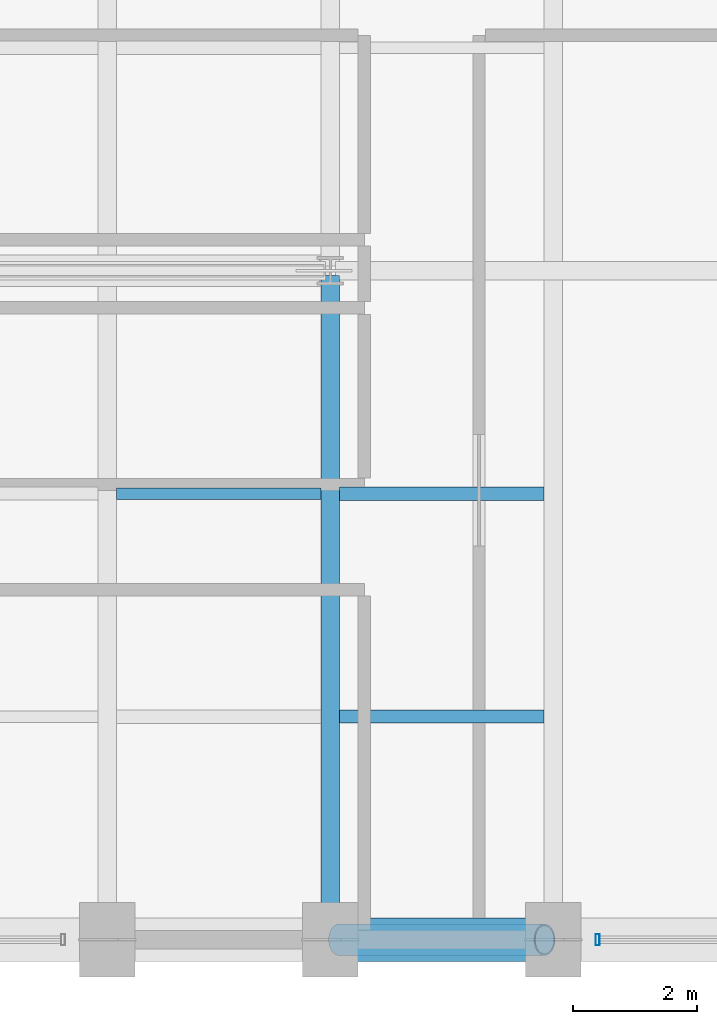
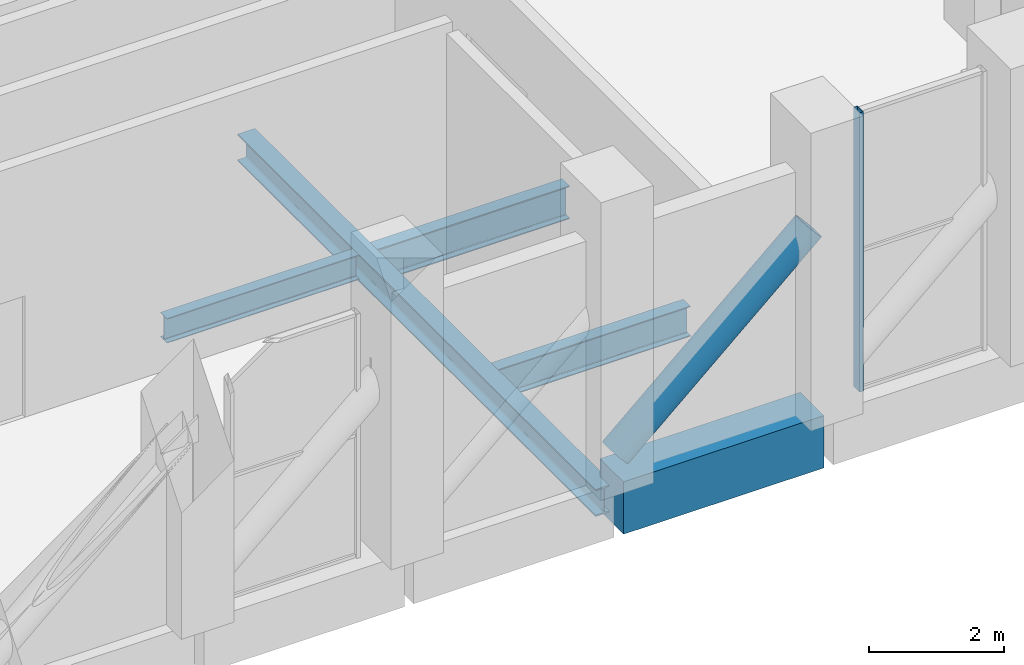
# One storey, part 11 of 27: 5 beams, 2 members, 1 element without a shape of its own.
"""IFC4 building model written with IfcOpenShell, lengths in metres."""

from ifc_helpers import new_model, si_unit, direction, frame, origin, origin_2d, place, context, subcontext, project, spatial, rectangle, hollow_rectangle, hollow_circle, i_section, extrude, material, layer, layer_set, material_profile, profile_set, type_object, element, aggregate, save


model = new_model("IFC4")

# Units and contexts
model_context = context("Model", 3, precision=1e-05, world=origin(), true_north=direction((0.0, 1.0)))
body_context = subcontext(model_context, "Body", "Model", "MODEL_VIEW")
ifc_project = project(units=[si_unit("LENGTHUNIT", "METRE"), si_unit("AREAUNIT", "SQUARE_METRE"), si_unit("VOLUMEUNIT", "CUBIC_METRE"), si_unit("PLANEANGLEUNIT", "RADIAN"), si_unit("MASSUNIT", "GRAM", prefix="KILO")], contexts=[model_context])

# Site, building, storey
site_placement = place(None, origin())
site = spatial("IfcSite", under=ifc_project, at=site_placement, CompositionType="ELEMENT")
building_placement = place(site_placement, origin())
building = spatial("IfcBuilding", under=site, at=building_placement, Name="Solnavia Interchange Tower", CompositionType="ELEMENT")
storey_placement = place(building_placement, frame((0.0, 0.0, 74.699951171875)))
storey = spatial("IfcBuildingStorey", under=building, at=storey_placement, Name="L18", CompositionType="ELEMENT", Elevation=74.699951171875)

# Beams
ifc_material_1 = material(Name="Steel S355", Category="steel")
ifc_material_profile_1 = material_profile(ifc_material_1, i_section(OverallWidth=0.18994140625, OverallDepth=0.449951171875, WebThickness=0.009521484375, FlangeThickness=0.0146484375, FilletRadius=0.02099609375, at=origin_2d()), Name="IPE 450")
ifc_profile_set_1 = profile_set([ifc_material_profile_1], Name="Steel S355")
beam_type_1 = type_object("IfcBeamType", Name="Beam-Joist-IPE450", PredefinedType="JOIST", material=ifc_profile_set_1)
beam_1_placement = place(storey_placement, frame((46.949951171875, 10.800048828125, -0.544921875), z_axis=(1.0, 0.0, 0.0), x_axis=(0.0, 1.0, 0.0)))
element("IfcBeam", 1, at=beam_1_placement, inside=storey, type_object=beam_type_1, Name="JST-L18-E09 East wing secondary joist", PredefinedType="JOIST", context=body_context, shape_type="SweptSolid", body=[
    extrude(i_section(OverallWidth=0.18994140625, OverallDepth=0.449951171875, WebThickness=0.009521484375, FlangeThickness=0.0146484375, FilletRadius=0.02099609375, at=origin_2d()), origin(), (0.0, 0.0, 1.0), 3.300048828125),
])
ifc_material_profile_2 = material_profile(ifc_material_1, i_section(OverallWidth=0.2099609375, OverallDepth=0.550048828125, WebThickness=0.010986328125, FlangeThickness=0.01708984375, FilletRadius=0.02392578125, at=origin_2d()), Name="IPE 550")
ifc_profile_set_2 = profile_set([ifc_material_profile_2], Name="Steel S355")
beam_type_2 = type_object("IfcBeamType", Name="Beam-Joist-IPE550", PredefinedType="JOIST", material=ifc_profile_set_2)
beam_2_placement = place(storey_placement, frame((50.550048828125, 7.199951171875, -0.594970703125), z_axis=(1.0, 0.0, 0.0), x_axis=(0.0, 1.0, 0.0)))
element("IfcBeam", 2, at=beam_2_placement, inside=storey, type_object=beam_type_2, Name="JST-L18-E05 East wing secondary joist", PredefinedType="JOIST", context=body_context, shape_type="SweptSolid", body=[
    extrude(i_section(OverallWidth=0.2099609375, OverallDepth=0.550048828125, WebThickness=0.010986328125, FlangeThickness=0.01708984375, FilletRadius=0.02392578125, at=origin_2d()), origin(), (0.0, 0.0, 1.0), 3.300048828125),
])
ifc_material_profile_3 = material_profile(ifc_material_1, i_section(OverallWidth=0.219970703125, OverallDepth=0.60009765625, WebThickness=0.011962890625, FlangeThickness=0.01904296875, FilletRadius=0.02392578125, at=origin_2d()), Name="IPE 600")
ifc_profile_set_3 = profile_set([ifc_material_profile_3], Name="Steel S355")
beam_type_3 = type_object("IfcBeamType", Name="Beam-Joist-IPE600", PredefinedType="JOIST", material=ifc_profile_set_3)
beam_3_placement = place(storey_placement, frame((50.550048828125, 10.800048828125, -0.619873046875), z_axis=(1.0, 0.0, 0.0), x_axis=(0.0, 1.0, 0.0)))
element("IfcBeam", 3, at=beam_3_placement, inside=storey, type_object=beam_type_3, Name="JST-L18-E10 East wing secondary joist", PredefinedType="JOIST", context=body_context, shape_type="SweptSolid", body=[
    extrude(i_section(OverallWidth=0.219970703125, OverallDepth=0.60009765625, WebThickness=0.011962890625, FlangeThickness=0.01904296875, FilletRadius=0.02392578125, at=origin_2d()), origin(), (0.0, 0.0, 1.0), 3.300048828125),
])
ifc_material_profile_4 = material_profile(ifc_material_1, i_section(OverallWidth=0.300048828125, OverallDepth=0.489990234375, WebThickness=0.011962890625, FlangeThickness=0.02294921875, FilletRadius=0.027099609375, at=origin_2d()), Name="HEA 500")
ifc_profile_set_4 = profile_set([ifc_material_profile_4], Name="Steel S355")
beam_type_4 = type_object("IfcBeamType", Name="Beam-Primary-HEA500", PredefinedType="BEAM", material=ifc_profile_set_4)
beam_4_placement = place(storey_placement, frame((50.39990234375, 3.679931640625, -0.56494140625), z_axis=(0.0, 1.0, 0.0), x_axis=(-1.0, 0.0, 0.0)))
element("IfcBeam", 4, at=beam_4_placement, inside=storey, type_object=beam_type_4, Name="GRD-L18-EW09 East wing primary floor girder", PredefinedType="BEAM", context=body_context, shape_type="SweptSolid", body=[
    extrude(i_section(OverallWidth=0.300048828125, OverallDepth=0.489990234375, WebThickness=0.011962890625, FlangeThickness=0.02294921875, FilletRadius=0.027099609375, at=origin_2d()), origin(), (0.0, 0.0, 1.0), 10.64013671875),
])
ifc_material_2 = material(Name="Concrete C50/60", Category="concrete")
ifc_material_profile_5 = material_profile(ifc_material_2, rectangle(XDim=0.699951171875, YDim=0.949951171875, at=origin_2d()), Name="RC 700x950")
ifc_profile_set_5 = profile_set([ifc_material_profile_5], Name="Concrete C50/60")
beam_type_5 = type_object("IfcBeamType", Name="Beam-Spandrel-RC700x950", PredefinedType="SPANDREL", material=ifc_profile_set_5)
beam_5_placement = place(storey_placement, frame((50.47998046875, 3.60009765625, -0.474853515625), z_axis=(1.0, 0.0, 0.0), x_axis=(0.0, 1.0, 0.0)))
element("IfcBeam", 5, at=beam_5_placement, inside=storey, type_object=beam_type_5, Name="SPB-L18-16 Framed-tube perimeter spandrel beam", PredefinedType="SPANDREL", context=body_context, shape_type="SweptSolid", body=[
    extrude(rectangle(XDim=0.699951171875, YDim=0.949951171875, at=origin_2d()), origin(), (0.0, 0.0, 1.0), 3.43994140625),
])

# Curtain wall, member
ifc_material_3 = material(Name="Aluminium Alloy 6063-T6", Category="aluminium")
ifc_layer = layer(ifc_material_3, 0.199951171875)
ifc_layer_set = layer_set([ifc_layer], Name="Aluminium Alloy 6063-T6")
curtain_wall_type = type_object("IfcCurtainWallType", Name="CurtainWall-Louvre-CTW5", PredefinedType="NOTDEFINED", material=ifc_layer_set)
curtain_wall_placement = place(storey_placement, origin())
curtain_wall = element("IfcCurtainWall", 6, at=curtain_wall_placement, inside=storey, type_object=curtain_wall_type, Name="CTW-L18-L09 CTW-5 curtain wall", PredefinedType="NOTDEFINED")
ifc_material_profile_6 = material_profile(ifc_material_3, hollow_rectangle(XDim=0.06494140625, YDim=0.179931640625, WallThickness=0.00439453125, at=origin_2d()), Name="ALU 180x65x4.5")
ifc_profile_set_6 = profile_set([ifc_material_profile_6], Name="Aluminium Alloy 6063-T6")
member_type_1 = type_object("IfcMemberType", Name="CW-Mullion-CWM-5", PredefinedType="MULLION", material=ifc_profile_set_6)
member_1_placement = place(storey_placement, frame((54.715087890625, 3.60009765625, 0.0), z_axis=(0.0, 0.0, 1.0), x_axis=(1.0, 0.0, 0.0)))
member_1 = element("IfcMember", 7, at=member_1_placement, type_object=member_type_1, Name="CTW-5 mullion 1", PredefinedType="MULLION", context=body_context, shape_type="SweptSolid", body=[
    extrude(hollow_rectangle(XDim=0.06494140625, YDim=0.179931640625, WallThickness=0.00439453125, at=origin_2d()), origin(), (0.0, 0.0, 1.0), 5.06494140625),
])
aggregate(curtain_wall, [member_1])

# Member
ifc_material_4 = material(Name="Steel S460", Category="steel")
ifc_material_profile_7 = material_profile(ifc_material_4, hollow_circle(Radius=0.25390625, WallThickness=0.02490234375, at=origin_2d()), Name="CHS 508x25")
ifc_profile_set_7 = profile_set([ifc_material_profile_7], Name="Steel S460")
member_type_2 = type_object("IfcMemberType", Name="Outrigger-Diag-CHS508", PredefinedType="BRACE", material=ifc_profile_set_7)
member_2_placement = place(storey_placement, frame((50.5400390625, 3.60009765625, 0.300048828125), z_axis=(0.747545781752, 0.0, 0.664210286118), x_axis=(0.0, 1.0, 0.0)))
element("IfcMember", 8, at=member_2_placement, inside=storey, type_object=member_type_2, Name="OTR-L18-BT06 Belt truss diagonal", PredefinedType="BRACE", context=body_context, shape_type="SweptSolid", body=[
    extrude(hollow_circle(Radius=0.25390625, WallThickness=0.02490234375, at=origin_2d()), origin(), (0.0, 0.0, 1.0), 4.44140625),
])

save(model, "model.ifc")
